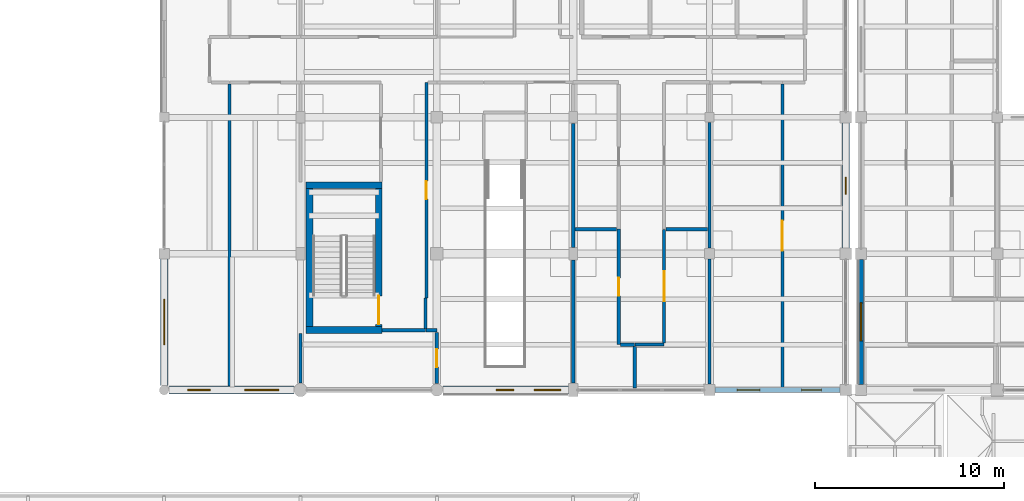
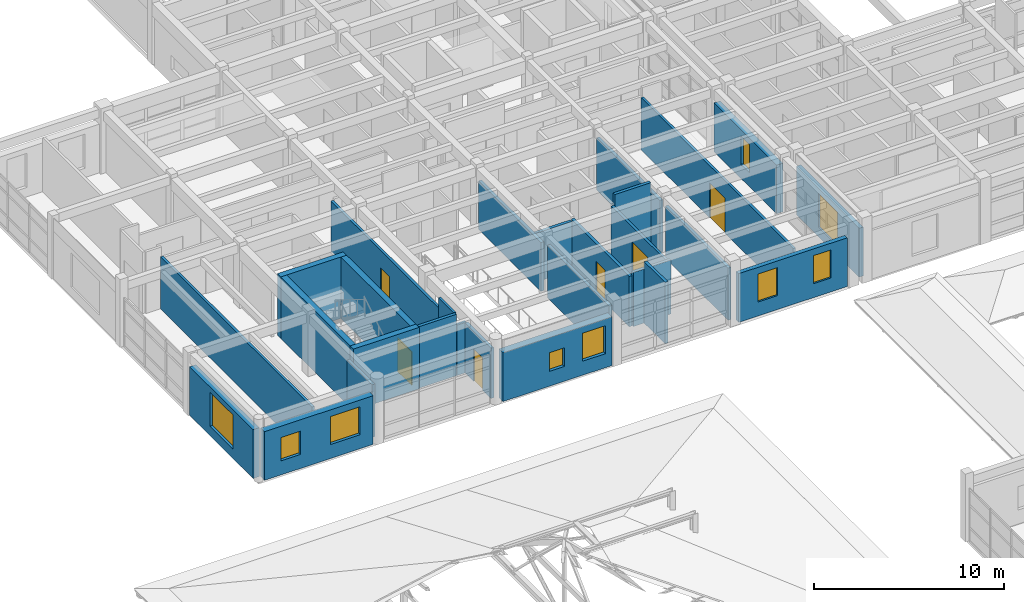
# One storey, part 75 of 110: 29 walls, 9 windows, 6 doors, 15 openings.
"""IFC4 building model written with IfcOpenShell, lengths in metres."""

from ifc_helpers import new_model, si_unit, direction, frame, frame_2d, origin, place, context, subcontext, project, spatial, rectangle, extrude, material, layer, layer_set, type_object, element, fill, save


model = new_model("IFC4")

# Units and contexts
model_context = context("Model", 3, precision=1e-05, world=origin(), true_north=direction((0.0, 1.0)))
body_context = subcontext(model_context, "Body", "Model", "MODEL_VIEW")
ifc_project = project(units=[si_unit("LENGTHUNIT", "METRE"), si_unit("AREAUNIT", "SQUARE_METRE"), si_unit("VOLUMEUNIT", "CUBIC_METRE"), si_unit("PLANEANGLEUNIT", "RADIAN"), si_unit("MASSUNIT", "GRAM", prefix="KILO")], contexts=[model_context])

# Site, building, storey
site_placement = place(None, origin())
site = spatial("IfcSite", under=ifc_project, at=site_placement, CompositionType="ELEMENT")
building_placement = place(site_placement, origin())
building = spatial("IfcBuilding", under=site, at=building_placement, Name="Steenspoor Specialist Clinic", CompositionType="ELEMENT")
storey_placement = place(building_placement, frame((0.0, 0.0, 4.800048828125)))
storey = spatial("IfcBuildingStorey", under=building, at=storey_placement, Name="L01", CompositionType="ELEMENT", Elevation=4.800048828125)

# Wall, opening, window
ifc_material_1 = material(Name="Extruded clay brick masonry", Category="masonry")
ifc_layer_1 = layer(ifc_material_1, 0.3798828125)
ifc_layer_set_1 = layer_set([ifc_layer_1], Name="Extruded clay brick masonry")
wall_type_1 = type_object("IfcWallType", Name="W-BRICK-380", PredefinedType="USERDEFINED", material=ifc_layer_set_1)
wall_1_placement = place(storey_placement, frame((15.60009765625, 65.39990234375, 0.0), z_axis=(0.0, 0.0, 1.0), x_axis=(0.0, 1.0, 0.0)))
wall_1 = element("IfcWall", 1, at=wall_1_placement, inside=storey, type_object=wall_type_1, Name="Exterior Brick Wall EW-V5-L01-0257", ObjectType="CAVITY VENEER", PredefinedType="USERDEFINED", context=body_context, shape_type="SweptSolid", body=[
    extrude(rectangle(XDim=6.675048828125, YDim=0.3798828125, at=frame_2d((3.33740234375, 0.0))), origin(), (0.0, 0.0, 1.0), 3.1298828125),
])
opening_1_placement = place(wall_1_placement, frame((2.137451171875, 0.0, 0.60009765625)))
opening_1 = element("IfcOpeningElement", 2, at=opening_1_placement, cuts=wall_1, Name="Opening WN-18", PredefinedType="OPENING", context=body_context, shape_type="SweptSolid", body=[
    extrude(rectangle(XDim=2.39990234375, YDim=2.199951171875, at=frame_2d((1.199951171875, 1.10009765625))), frame((0.0, 0.199951171875, 0.0), z_axis=(0.0, -1.0, 0.0), x_axis=(1.0, 0.0, 0.0)), (0.0, 0.0, 1.0), 0.39990234375),
])
ifc_material_2 = material(Name="Thermally broken aluminium and low-emissivity glass", Category="aluminium")
window_type_1 = type_object("IfcWindowType", Name="WN-EXT-240X220", PartitioningType="SINGLE_PANEL", PredefinedType="WINDOW", material=ifc_material_2)
window_1_placement = place(opening_1_placement, origin())
window_1 = element("IfcWindow", 3, at=window_1_placement, inside=storey, type_object=window_type_1, Name="Window 0281", OverallHeight=2.199951171875, OverallWidth=2.39990234375, PartitioningType="SINGLE_PANEL", PredefinedType="WINDOW", context=body_context, shape_type="SweptSolid", body=[
    extrude(rectangle(XDim=2.39990234375, YDim=2.199951171875, at=frame_2d((1.199951171875, 1.10009765625))), frame((0.0, 0.030029296875, 0.0), z_axis=(0.0, -1.0, 0.0), x_axis=(1.0, 0.0, 0.0)), (0.0, 0.0, 1.0), 0.06005859375),
])
fill(opening_1, window_1)

wall_2_placement = place(storey_placement, frame((51.60009765625, 79.25, 0.0), z_axis=(0.0, 0.0, 1.0), x_axis=(0.0, -1.0, 0.0)))
wall_2 = element("IfcWall", 4, at=wall_2_placement, inside=storey, type_object=wall_type_1, Name="Exterior Brick Wall EW-V5-L01-0265", ObjectType="CAVITY VENEER", PredefinedType="USERDEFINED", context=body_context, shape_type="SweptSolid", body=[
    extrude(rectangle(XDim=6.60009765625, YDim=0.3798828125, at=frame_2d((3.300048828125, 0.0))), origin(), (0.0, 0.0, 1.0), 3.1298828125),
])
opening_2_placement = place(wall_2_placement, frame((2.85009765625, 0.0, 0.89990234375)))
opening_2 = element("IfcOpeningElement", 5, at=opening_2_placement, cuts=wall_2, Name="Opening WN-03", PredefinedType="OPENING", context=body_context, shape_type="SweptSolid", body=[
    extrude(rectangle(XDim=0.89990234375, YDim=1.800048828125, at=frame_2d((0.449951171875, 0.89990234375))), frame((0.0, 0.199951171875, 0.0), z_axis=(0.0, -1.0, 0.0), x_axis=(1.0, 0.0, 0.0)), (0.0, 0.0, 1.0), 0.39990234375),
])
window_type_2 = type_object("IfcWindowType", Name="WN-EXT-090X180", PartitioningType="SINGLE_PANEL", PredefinedType="WINDOW", material=ifc_material_2)
window_2_placement = place(opening_2_placement, origin())
window_2 = element("IfcWindow", 6, at=window_2_placement, inside=storey, type_object=window_type_2, Name="Window 0290", OverallHeight=1.800048828125, OverallWidth=0.89990234375, PartitioningType="SINGLE_PANEL", PredefinedType="WINDOW", context=body_context, shape_type="SweptSolid", body=[
    extrude(rectangle(XDim=0.89990234375, YDim=1.800048828125, at=frame_2d((0.449951171875, 0.89990234375))), frame((0.0, 0.030029296875, 0.0), z_axis=(0.0, -1.0, 0.0), x_axis=(1.0, 0.0, 0.0)), (0.0, 0.0, 1.0), 0.06005859375),
])
fill(opening_2, window_2)

# Wall, openings, windows
ifc_layer_2 = layer(ifc_material_1, 0.409912109375)
ifc_layer_set_2 = layer_set([ifc_layer_2], Name="Extruded clay brick masonry")
wall_type_2 = type_object("IfcWallType", Name="W-BRICK-410", PredefinedType="USERDEFINED", material=ifc_layer_set_2)
wall_3_placement = place(storey_placement, frame((22.449951171875, 65.14990234375, 0.0), z_axis=(0.0, 0.0, 1.0), x_axis=(-1.0, 0.0, 0.0)))
wall_3 = element("IfcWall", 7, at=wall_3_placement, inside=storey, type_object=wall_type_2, Name="Exterior Brick Wall EW-V5-L01-0256", ObjectType="CAVITY VENEER", PredefinedType="USERDEFINED", context=body_context, shape_type="SweptSolid", body=[
    extrude(rectangle(XDim=6.599853515625, YDim=0.409912109375, at=frame_2d((3.2998046875, 0.0))), origin(), (0.0, 0.0, 1.0), 3.1298828125),
])
opening_3_placement = place(wall_3_placement, frame((0.7900390625, 0.0, 0.89990234375)))
opening_3 = element("IfcOpeningElement", 8, at=opening_3_placement, cuts=wall_3, Name="Opening WN-08", PredefinedType="OPENING", context=body_context, shape_type="SweptSolid", body=[
    extrude(rectangle(XDim=1.800048828125, YDim=1.800048828125, at=frame_2d((0.89990234375, 0.89990234375))), frame((0.0, 0.21484375, 0.0), z_axis=(0.0, -1.0, 0.0), x_axis=(1.0, 0.0, 0.0)), (0.0, 0.0, 1.0), 0.429931640625),
])
opening_4_placement = place(wall_3_placement, frame((4.409912109375, 0.0, 0.89990234375)))
opening_4 = element("IfcOpeningElement", 9, at=opening_4_placement, cuts=wall_3, Name="Opening WN-11", PredefinedType="OPENING", context=body_context, shape_type="SweptSolid", body=[
    extrude(rectangle(XDim=1.199951171875, YDim=1.5, at=frame_2d((0.60009765625, 0.75))), frame((0.0, 0.21484375, 0.0), z_axis=(0.0, -1.0, 0.0), x_axis=(1.0, 0.0, 0.0)), (0.0, 0.0, 1.0), 0.429931640625),
])
window_type_3 = type_object("IfcWindowType", Name="WN-EXT-120X150", PartitioningType="SINGLE_PANEL", PredefinedType="WINDOW", material=ifc_material_2)
window_3_placement = place(opening_4_placement, origin())
window_3 = element("IfcWindow", 10, at=window_3_placement, inside=storey, type_object=window_type_3, Name="Window 0280", OverallHeight=1.5, OverallWidth=1.199951171875, PartitioningType="SINGLE_PANEL", PredefinedType="WINDOW", context=body_context, shape_type="SweptSolid", body=[
    extrude(rectangle(XDim=1.199951171875, YDim=1.5, at=frame_2d((0.60009765625, 0.75))), frame((0.0, 0.030029296875, 0.0), z_axis=(0.0, -1.0, 0.0), x_axis=(1.0, 0.0, 0.0)), (0.0, 0.0, 1.0), 0.06005859375),
])
fill(opening_4, window_3)
window_type_4 = type_object("IfcWindowType", Name="WN-EXT-180X180", PartitioningType="SINGLE_PANEL", PredefinedType="WINDOW", material=ifc_material_2)
window_4_placement = place(opening_3_placement, origin())
window_4 = element("IfcWindow", 11, at=window_4_placement, inside=storey, type_object=window_type_4, Name="Window 0279", OverallHeight=1.800048828125, OverallWidth=1.800048828125, PartitioningType="SINGLE_PANEL", PredefinedType="WINDOW", context=body_context, shape_type="SweptSolid", body=[
    extrude(rectangle(XDim=1.800048828125, YDim=1.800048828125, at=frame_2d((0.89990234375, 0.89990234375))), frame((0.0, 0.030029296875, 0.0), z_axis=(0.0, -1.0, 0.0), x_axis=(1.0, 0.0, 0.0)), (0.0, 0.0, 1.0), 0.06005859375),
])
fill(opening_3, window_4)

ifc_layer_3 = layer(ifc_material_1, 0.43994140625)
ifc_layer_set_3 = layer_set([ifc_layer_3], Name="Extruded clay brick masonry")
wall_type_3 = type_object("IfcWallType", Name="W-BRICK-440", PredefinedType="USERDEFINED", material=ifc_layer_set_3)
wall_4_placement = place(storey_placement, frame((36.949951171875, 65.14990234375, 0.0), z_axis=(0.0, 0.0, 1.0), x_axis=(-1.0, 0.0, 0.0)))
wall_4 = element("IfcWall", 12, at=wall_4_placement, inside=storey, type_object=wall_type_3, Name="Exterior Brick Wall EW-V5-L01-0255", ObjectType="CAVITY VENEER", PredefinedType="USERDEFINED", context=body_context, shape_type="SweptSolid", body=[
    extrude(rectangle(XDim=6.625, YDim=0.43994140625, at=frame_2d((3.3125, 0.0))), origin(), (0.0, 0.0, 1.0), 3.1298828125),
])
opening_5_placement = place(wall_4_placement, frame((0.402587890625, 0.0, 0.89990234375)))
opening_5 = element("IfcOpeningElement", 13, at=opening_5_placement, cuts=wall_4, Name="Opening WN-06", PredefinedType="OPENING", context=body_context, shape_type="SweptSolid", body=[
    extrude(rectangle(XDim=1.39990234375, YDim=1.800048828125, at=frame_2d((0.699951171875, 0.89990234375))), frame((0.0, 0.22998046875, 0.0), z_axis=(0.0, -1.0, 0.0), x_axis=(1.0, 0.0, 0.0)), (0.0, 0.0, 1.0), 0.4599609375),
])
opening_6_placement = place(wall_4_placement, frame((2.89990234375, 0.0, 0.949951171875)))
opening_6 = element("IfcOpeningElement", 14, at=opening_6_placement, cuts=wall_4, Name="Opening WN-21", PredefinedType="OPENING", context=body_context, shape_type="SweptSolid", body=[
    extrude(rectangle(XDim=0.89990234375, YDim=1.199951171875, at=frame_2d((0.449951171875, 0.60009765625))), frame((0.0, 0.22998046875, 0.0), z_axis=(0.0, -1.0, 0.0), x_axis=(1.0, 0.0, 0.0)), (0.0, 0.0, 1.0), 0.4599609375),
])
window_type_5 = type_object("IfcWindowType", Name="WN-EXT-090X120", PartitioningType="SINGLE_PANEL", PredefinedType="WINDOW", material=ifc_material_2)
window_5_placement = place(opening_6_placement, origin())
window_5 = element("IfcWindow", 15, at=window_5_placement, inside=storey, type_object=window_type_5, Name="Window 0278", OverallHeight=1.199951171875, OverallWidth=0.89990234375, PartitioningType="SINGLE_PANEL", PredefinedType="WINDOW", context=body_context, shape_type="SweptSolid", body=[
    extrude(rectangle(XDim=0.89990234375, YDim=1.199951171875, at=frame_2d((0.449951171875, 0.60009765625))), frame((0.0, 0.030029296875, 0.0), z_axis=(0.0, -1.0, 0.0), x_axis=(1.0, 0.0, 0.0)), (0.0, 0.0, 1.0), 0.06005859375),
])
fill(opening_6, window_5)
window_type_6 = type_object("IfcWindowType", Name="WN-EXT-140X180", PartitioningType="SINGLE_PANEL", PredefinedType="WINDOW", material=ifc_material_2)
window_6_placement = place(opening_5_placement, origin())
window_6 = element("IfcWindow", 16, at=window_6_placement, inside=storey, type_object=window_type_6, Name="Window 0277", OverallHeight=1.800048828125, OverallWidth=1.39990234375, PartitioningType="SINGLE_PANEL", PredefinedType="WINDOW", context=body_context, shape_type="SweptSolid", body=[
    extrude(rectangle(XDim=1.39990234375, YDim=1.800048828125, at=frame_2d((0.699951171875, 0.89990234375))), frame((0.0, 0.030029296875, 0.0), z_axis=(0.0, -1.0, 0.0), x_axis=(1.0, 0.0, 0.0)), (0.0, 0.0, 1.0), 0.06005859375),
])
fill(opening_5, window_6)

# Wall
ifc_material_3 = material(Name="Gypsum acoustic clinical partition", Category="gypsum")
ifc_layer_4 = layer(ifc_material_3, 0.14990234375)
ifc_layer_set_4 = layer_set([ifc_layer_4], Name="Gypsum acoustic clinical partition")
wall_type_4 = type_object("IfcWallType", Name="W-CLIN-150", PredefinedType="PARTITIONING", material=ifc_layer_set_4)
wall_5_placement = place(storey_placement, frame((40.465087890625, 67.550048828125, 0.0), z_axis=(0.0, 0.0, 1.0), x_axis=(1.0, 0.0, 0.0)))
element("IfcWall", 17, at=wall_5_placement, inside=storey, type_object=wall_type_4, Name="Interior Partition IW-V5-L01-0810", PredefinedType="PARTITIONING", context=body_context, shape_type="SweptSolid", body=[
    extrude(rectangle(XDim=1.534912109375, YDim=0.14990234375, at=frame_2d((0.767578125, 0.0))), origin(), (0.0, 0.0, 1.0), 3.474853515625),
])

# Wall, opening, door
wall_6_placement = place(storey_placement, frame((42.0, 67.639892578125, 0.0), z_axis=(0.0, 0.0, 1.0), x_axis=(0.0, 1.0, 0.0)))
wall_6 = element("IfcWall", 18, at=wall_6_placement, inside=storey, type_object=wall_type_4, Name="Interior Partition IW-V5-L01-0811", PredefinedType="PARTITIONING", context=body_context, shape_type="SweptSolid", body=[
    extrude(rectangle(XDim=5.989990234375, YDim=0.14990234375, at=frame_2d((2.9951171875, 0.0))), origin(), (0.0, 0.0, 1.0), 3.23486328125),
])
opening_7_placement = place(wall_6_placement, frame((2.195068359375, 0.0, 0.0)))
opening_7 = element("IfcOpeningElement", 19, at=opening_7_placement, cuts=wall_6, Name="Opening D0351", PredefinedType="OPENING", context=body_context, shape_type="SweptSolid", body=[
    extrude(rectangle(XDim=1.60009765625, YDim=2.25, at=frame_2d((0.800048828125, 1.125))), frame((0.0, 0.0849609375, 0.0), z_axis=(0.0, -1.0, 0.0), x_axis=(1.0, 0.0, 0.0)), (0.0, 0.0, 1.0), 0.169921875),
])
ifc_material_4 = material(Name="Hygienic HPL clinical timber door", Category="wood")
door_type_1 = type_object("IfcDoorType", Name="DT-PROC-160X225", OperationType="NOTDEFINED", PredefinedType="DOOR", material=ifc_material_4)
door_1_placement = place(opening_7_placement, origin())
door_1 = element("IfcDoor", 20, at=door_1_placement, inside=storey, type_object=door_type_1, Name="Clinical Door D0351", OperationType="SINGLE_SWING_RIGHT", OverallHeight=2.25, OverallWidth=1.60009765625, PredefinedType="DOOR", context=body_context, shape_type="SweptSolid", body=[
    extrude(rectangle(XDim=1.60009765625, YDim=2.25, at=frame_2d((0.800048828125, 1.125))), frame((0.0, 0.02490234375, 0.0), z_axis=(0.0, -1.0, 0.0), x_axis=(1.0, 0.0, 0.0)), (0.0, 0.0, 1.0), 0.050048828125),
])
fill(opening_7, door_1)

# Wall
wall_7_placement = place(storey_placement, frame((29.39990234375, 68.405029296875, 0.0), z_axis=(0.0, 0.0, 1.0), x_axis=(0.0, 1.0, 0.0)))
element("IfcWall", 21, at=wall_7_placement, inside=storey, type_object=wall_type_4, Name="Interior Partition IW-V5-L01-0924", PredefinedType="PARTITIONING", context=body_context, shape_type="SweptSolid", body=[
    extrude(rectangle(XDim=1.594970703125, YDim=0.14990234375, at=frame_2d((0.79736328125, 0.0))), origin(), (0.0, 0.0, 1.0), 3.949951171875),
])

# Wall, opening, door
wall_8_placement = place(storey_placement, frame((29.449951171875, 70.014892578125, 0.0), z_axis=(0.0, 0.0, 1.0), x_axis=(0.0, 1.0, 0.0)))
wall_8 = element("IfcWall", 22, at=wall_8_placement, inside=storey, type_object=wall_type_4, Name="Interior Partition IW-V5-L01-0925", PredefinedType="PARTITIONING", context=body_context, shape_type="SweptSolid", body=[
    extrude(rectangle(XDim=11.385009765625, YDim=0.14990234375, at=frame_2d((5.6923828125, 0.0))), origin(), (0.0, 0.0, 1.0), 3.23486328125),
])
opening_8_placement = place(wall_8_placement, frame((5.217529296875, 0.0, 0.0)))
opening_8 = element("IfcOpeningElement", 23, at=opening_8_placement, cuts=wall_8, Name="Opening D0348", PredefinedType="OPENING", context=body_context, shape_type="SweptSolid", body=[
    extrude(rectangle(XDim=0.949951171875, YDim=2.10009765625, at=frame_2d((0.47509765625, 1.050048828125))), frame((0.0, 0.0849609375, 0.0), z_axis=(0.0, -1.0, 0.0), x_axis=(1.0, 0.0, 0.0)), (0.0, 0.0, 1.0), 0.169921875),
])
ifc_material_5 = material(Name="Moisture-resistant HPL sanitary door", Category="wood")
door_type_2 = type_object("IfcDoorType", Name="DT-WC-095X210", OperationType="NOTDEFINED", PredefinedType="DOOR", material=ifc_material_5)
door_2_placement = place(opening_8_placement, origin())
door_2 = element("IfcDoor", 24, at=door_2_placement, inside=storey, type_object=door_type_2, Name="Clinical Door D0348", OperationType="SINGLE_SWING_LEFT", OverallHeight=2.10009765625, OverallWidth=0.949951171875, PredefinedType="DOOR", context=body_context, shape_type="SweptSolid", body=[
    extrude(rectangle(XDim=0.949951171875, YDim=2.10009765625, at=frame_2d((0.47509765625, 1.050048828125))), frame((0.0, 0.02490234375, 0.0), z_axis=(0.0, -1.0, 0.0), x_axis=(1.0, 0.0, 0.0)), (0.0, 0.0, 1.0), 0.050048828125),
])
fill(opening_8, door_2)

# Wall
wall_9_placement = place(storey_placement, frame((19.050048828125, 65.3701171875, 0.0), z_axis=(0.0, 0.0, 1.0), x_axis=(0.0, 1.0, 0.0)))
element("IfcWall", 25, at=wall_9_placement, inside=storey, type_object=wall_type_4, Name="Interior Partition IW-V5-L01-1140", PredefinedType="PARTITIONING", context=body_context, shape_type="SweptSolid", body=[
    extrude(rectangle(XDim=15.93994140625, YDim=0.14990234375, at=frame_2d((7.969970703125, 0.0))), origin(), (0.0, 0.0, 1.0), 3.35498046875),
])

# Wall, opening, door
wall_10_placement = place(storey_placement, frame((48.25, 65.294921875, 0.0), z_axis=(0.0, 0.0, 1.0), x_axis=(0.0, 1.0, 0.0)))
wall_10 = element("IfcWall", 26, at=wall_10_placement, inside=storey, type_object=wall_type_4, Name="Interior Partition IW-V5-L01-1144", PredefinedType="PARTITIONING", context=body_context, shape_type="SweptSolid", body=[
    extrude(rectangle(XDim=16.01513671875, YDim=0.14990234375, at=frame_2d((8.007568359375, 0.0))), origin(), (0.0, 0.0, 1.0), 3.35498046875),
])
opening_9_placement = place(wall_10_placement, frame((7.20751953125, 0.0, 0.0)))
opening_9 = element("IfcOpeningElement", 27, at=opening_9_placement, cuts=wall_10, Name="Opening D0353", PredefinedType="OPENING", context=body_context, shape_type="SweptSolid", body=[
    extrude(rectangle(XDim=1.60009765625, YDim=2.25, at=frame_2d((0.800048828125, 1.125))), frame((0.0, 0.0849609375, 0.0), z_axis=(0.0, -1.0, 0.0), x_axis=(1.0, 0.0, 0.0)), (0.0, 0.0, 1.0), 0.169921875),
])
door_3_placement = place(opening_9_placement, origin())
door_3 = element("IfcDoor", 28, at=door_3_placement, inside=storey, type_object=door_type_1, Name="Clinical Door D0353", OperationType="SINGLE_SWING_RIGHT", OverallHeight=2.25, OverallWidth=1.60009765625, PredefinedType="DOOR", context=body_context, shape_type="SweptSolid", body=[
    extrude(rectangle(XDim=1.60009765625, YDim=2.25, at=frame_2d((0.800048828125, 1.125))), frame((0.0, 0.02490234375, 0.0), z_axis=(0.0, -1.0, 0.0), x_axis=(1.0, 0.0, 0.0)), (0.0, 0.0, 1.0), 0.050048828125),
])
fill(opening_9, door_3)

# Walls
ifc_material_6 = material(Name="Moisture-resistant gypsum plumbing wall", Category="gypsum")
ifc_layer_5 = layer(ifc_material_6, 0.179931640625)
ifc_layer_set_5 = layer_set([ifc_layer_5], Name="Moisture-resistant gypsum plumbing wall")
wall_type_5 = type_object("IfcWallType", Name="W-PLUMB-180", PredefinedType="PLUMBINGWALL", material=ifc_layer_set_5)
wall_11_placement = place(storey_placement, frame((27.114990234375, 68.300048828125, 0.0), z_axis=(0.0, 0.0, 1.0), x_axis=(1.0, 0.0, 0.0)))
element("IfcWall", 29, at=wall_11_placement, inside=storey, type_object=wall_type_5, Name="Interior Partition IW-V5-L01-0774", PredefinedType="PLUMBINGWALL", context=body_context, shape_type="SweptSolid", body=[
    extrude(rectangle(XDim=2.284912109375, YDim=0.179931640625, at=frame_2d((1.142578125, 0.0))), origin(), (0.0, 0.0, 1.0), 3.949951171875),
])
wall_12_placement = place(storey_placement, frame((29.4150390625, 68.300048828125, 0.0), z_axis=(0.0, 0.0, 1.0), x_axis=(1.0, 0.0, 0.0)))
element("IfcWall", 30, at=wall_12_placement, inside=storey, type_object=wall_type_5, Name="Interior Partition IW-V5-L01-0775", PredefinedType="PLUMBINGWALL", context=body_context, shape_type="SweptSolid", body=[
    extrude(rectangle(XDim=0.5849609375, YDim=0.179931640625, at=frame_2d((0.29248046875, 0.0))), origin(), (0.0, 0.0, 1.0), 3.23486328125),
])

# Wall, opening, door
wall_13_placement = place(storey_placement, frame((39.60009765625, 67.550048828125, 0.0), z_axis=(0.0, 0.0, 1.0), x_axis=(0.0, 1.0, 0.0)))
wall_13 = element("IfcWall", 31, at=wall_13_placement, inside=storey, type_object=wall_type_5, Name="Interior Partition IW-V5-L01-0776", PredefinedType="PLUMBINGWALL", context=body_context, shape_type="SweptSolid", body=[
    extrude(rectangle(XDim=6.094970703125, YDim=0.179931640625, at=frame_2d((3.04736328125, 0.0))), origin(), (0.0, 0.0, 1.0), 3.23486328125),
])
opening_10_placement = place(wall_13_placement, frame((2.572509765625, 0.0, 0.0)))
opening_10 = element("IfcOpeningElement", 32, at=opening_10_placement, cuts=wall_13, Name="Opening D0350", PredefinedType="OPENING", context=body_context, shape_type="SweptSolid", body=[
    extrude(rectangle(XDim=0.949951171875, YDim=2.10009765625, at=frame_2d((0.47509765625, 1.050048828125))), frame((0.0, 0.10009765625, 0.0), z_axis=(0.0, -1.0, 0.0), x_axis=(1.0, 0.0, 0.0)), (0.0, 0.0, 1.0), 0.199951171875),
])
door_4_placement = place(opening_10_placement, origin())
door_4 = element("IfcDoor", 33, at=door_4_placement, inside=storey, type_object=door_type_2, Name="Clinical Door D0350", OperationType="SINGLE_SWING_LEFT", OverallHeight=2.10009765625, OverallWidth=0.949951171875, PredefinedType="DOOR", context=body_context, shape_type="SweptSolid", body=[
    extrude(rectangle(XDim=0.949951171875, YDim=2.10009765625, at=frame_2d((0.47509765625, 1.050048828125))), frame((0.0, 0.02490234375, 0.0), z_axis=(0.0, -1.0, 0.0), x_axis=(1.0, 0.0, 0.0)), (0.0, 0.0, 1.0), 0.050048828125),
])
fill(opening_10, door_4)

# Walls
wall_14_placement = place(storey_placement, frame((39.705078125, 67.550048828125, 0.0), z_axis=(0.0, 0.0, 1.0), x_axis=(1.0, 0.0, 0.0)))
element("IfcWall", 34, at=wall_14_placement, inside=storey, type_object=wall_type_5, Name="Interior Partition IW-V5-L01-0777", PredefinedType="PLUMBINGWALL", context=body_context, shape_type="SweptSolid", body=[
    extrude(rectangle(XDim=0.744873046875, YDim=0.179931640625, at=frame_2d((0.37255859375, 0.0))), origin(), (0.0, 0.0, 1.0), 3.474853515625),
])
wall_15_placement = place(storey_placement, frame((22.800048828125, 65.514892578125, 0.0), z_axis=(0.0, 0.0, 1.0), x_axis=(0.0, 1.0, 0.0)))
element("IfcWall", 35, at=wall_15_placement, inside=storey, type_object=wall_type_5, Name="Interior Partition IW-V5-L01-1103", PredefinedType="PLUMBINGWALL", context=body_context, shape_type="SweptSolid", body=[
    extrude(rectangle(XDim=2.635009765625, YDim=0.179931640625, at=frame_2d((1.3173828125, 0.0))), origin(), (0.0, 0.0, 1.0), 3.385009765625),
])

# Wall, opening, door
wall_16_placement = place(storey_placement, frame((30.0, 65.489990234375, 0.0), z_axis=(0.0, 0.0, 1.0), x_axis=(0.0, 1.0, 0.0)))
wall_16 = element("IfcWall", 36, at=wall_16_placement, inside=storey, type_object=wall_type_5, Name="Interior Partition IW-V5-L01-1104", PredefinedType="PLUMBINGWALL", context=body_context, shape_type="SweptSolid", body=[
    extrude(rectangle(XDim=2.705078125, YDim=0.179931640625, at=frame_2d((1.3525390625, 0.0))), origin(), (0.0, 0.0, 1.0), 3.23486328125),
])
opening_11_placement = place(wall_16_placement, frame((0.87744140625, 0.0, 0.0)))
opening_11 = element("IfcOpeningElement", 37, at=opening_11_placement, cuts=wall_16, Name="Opening D0347", PredefinedType="OPENING", context=body_context, shape_type="SweptSolid", body=[
    extrude(rectangle(XDim=0.949951171875, YDim=2.10009765625, at=frame_2d((0.47509765625, 1.050048828125))), frame((0.0, 0.10009765625, 0.0), z_axis=(0.0, -1.0, 0.0), x_axis=(1.0, 0.0, 0.0)), (0.0, 0.0, 1.0), 0.199951171875),
])
door_5_placement = place(opening_11_placement, origin())
door_5 = element("IfcDoor", 38, at=door_5_placement, inside=storey, type_object=door_type_2, Name="Clinical Door D0347", OperationType="SINGLE_SWING_RIGHT", OverallHeight=2.10009765625, OverallWidth=0.949951171875, PredefinedType="DOOR", context=body_context, shape_type="SweptSolid", body=[
    extrude(rectangle(XDim=0.949951171875, YDim=2.10009765625, at=frame_2d((0.47509765625, 1.050048828125))), frame((0.0, 0.02490234375, 0.0), z_axis=(0.0, -1.0, 0.0), x_axis=(1.0, 0.0, 0.0)), (0.0, 0.0, 1.0), 0.050048828125),
])
fill(opening_11, door_5)

# Walls
wall_17_placement = place(storey_placement, frame((37.199951171875, 65.514892578125, 0.0), z_axis=(0.0, 0.0, 1.0), x_axis=(0.0, 1.0, 0.0)))
element("IfcWall", 39, at=wall_17_placement, inside=storey, type_object=wall_type_5, Name="Interior Partition IW-V5-L01-1105", PredefinedType="PLUMBINGWALL", context=body_context, shape_type="SweptSolid", body=[
    extrude(rectangle(XDim=6.4951171875, YDim=0.179931640625, at=frame_2d((3.24755859375, 0.0))), origin(), (0.0, 0.0, 1.0), 3.385009765625),
])
wall_18_placement = place(storey_placement, frame((37.199951171875, 72.68994140625, 0.0), z_axis=(0.0, 0.0, 1.0), x_axis=(0.0, 1.0, 0.0)))
element("IfcWall", 40, at=wall_18_placement, inside=storey, type_object=wall_type_5, Name="Interior Partition IW-V5-L01-1106", PredefinedType="PLUMBINGWALL", context=body_context, shape_type="SweptSolid", body=[
    extrude(rectangle(XDim=6.545166015625, YDim=0.179931640625, at=frame_2d((3.2724609375, 0.0))), origin(), (0.0, 0.0, 1.0), 3.135009765625),
])
wall_19_placement = place(storey_placement, frame((40.449951171875, 65.2548828125, 0.0), z_axis=(0.0, 0.0, 1.0), x_axis=(0.0, 1.0, 0.0)))
element("IfcWall", 41, at=wall_19_placement, inside=storey, type_object=wall_type_5, Name="Interior Partition IW-V5-L01-1108", PredefinedType="PLUMBINGWALL", context=body_context, shape_type="SweptSolid", body=[
    extrude(rectangle(XDim=2.190185546875, YDim=0.179931640625, at=frame_2d((1.09521484375, 0.0))), origin(), (0.0, 0.0, 1.0), 3.949951171875),
])
wall_20_placement = place(storey_placement, frame((37.304931640625, 73.64501953125, 0.0), z_axis=(0.0, 0.0, 1.0), x_axis=(1.0, 0.0, 0.0)))
element("IfcWall", 42, at=wall_20_placement, inside=storey, type_object=wall_type_5, Name="Interior Partition IW-V5-L01-1109", PredefinedType="PLUMBINGWALL", context=body_context, shape_type="SweptSolid", body=[
    extrude(rectangle(XDim=2.190185546875, YDim=0.179931640625, at=frame_2d((1.09521484375, 0.0))), origin(), (0.0, 0.0, 1.0), 3.135009765625),
])
wall_21_placement = place(storey_placement, frame((44.39990234375, 65.465087890625, 0.0), z_axis=(0.0, 0.0, 1.0), x_axis=(0.0, 1.0, 0.0)))
element("IfcWall", 43, at=wall_21_placement, inside=storey, type_object=wall_type_5, Name="Interior Partition IW-V5-L01-1110", PredefinedType="PLUMBINGWALL", context=body_context, shape_type="SweptSolid", body=[
    extrude(rectangle(XDim=6.594970703125, YDim=0.179931640625, at=frame_2d((3.29736328125, 0.0))), origin(), (0.0, 0.0, 1.0), 3.35498046875),
])
wall_22_placement = place(storey_placement, frame((44.39990234375, 72.639892578125, 0.0), z_axis=(0.0, 0.0, 1.0), x_axis=(0.0, 1.0, 0.0)))
element("IfcWall", 44, at=wall_22_placement, inside=storey, type_object=wall_type_5, Name="Interior Partition IW-V5-L01-1111", PredefinedType="PLUMBINGWALL", context=body_context, shape_type="SweptSolid", body=[
    extrude(rectangle(XDim=6.64501953125, YDim=0.179931640625, at=frame_2d((3.322509765625, 0.0))), origin(), (0.0, 0.0, 1.0), 3.35498046875),
])
wall_23_placement = place(storey_placement, frame((42.10498046875, 73.64501953125, 0.0), z_axis=(0.0, 0.0, 1.0), x_axis=(1.0, 0.0, 0.0)))
element("IfcWall", 45, at=wall_23_placement, inside=storey, type_object=wall_type_5, Name="Interior Partition IW-V5-L01-1113", PredefinedType="PLUMBINGWALL", context=body_context, shape_type="SweptSolid", body=[
    extrude(rectangle(XDim=2.18994140625, YDim=0.179931640625, at=frame_2d((1.094970703125, 0.0))), origin(), (0.0, 0.0, 1.0), 3.949951171875),
])

# Wall, opening, window
ifc_layer_6 = layer(ifc_material_1, 0.260009765625)
ifc_layer_set_6 = layer_set([ifc_layer_6], Name="Extruded clay brick masonry")
wall_type_6 = type_object("IfcWallType", Name="W-SCREEN-260", PredefinedType="SOLIDWALL", material=ifc_layer_set_6)
wall_24_placement = place(storey_placement, frame((52.39990234375, 65.449951171875, 0.0), z_axis=(0.0, 0.0, 1.0), x_axis=(0.0, 1.0, 0.0)))
wall_24 = element("IfcWall", 46, at=wall_24_placement, inside=storey, type_object=wall_type_6, Name="Exterior Brick Wall EW-V4-L01-0114", PredefinedType="SOLIDWALL", context=body_context, shape_type="SweptSolid", body=[
    extrude(rectangle(XDim=6.60009765625, YDim=0.260009765625, at=frame_2d((3.300048828125, 0.0))), origin(), (0.0, 0.0, 1.0), 3.1298828125),
])
opening_12_placement = place(wall_24_placement, frame((2.300048828125, 0.0, 0.60009765625)))
opening_12 = element("IfcOpeningElement", 47, at=opening_12_placement, cuts=wall_24, Name="Opening WN-17", PredefinedType="OPENING", context=body_context, shape_type="SweptSolid", body=[
    extrude(rectangle(XDim=2.0, YDim=2.199951171875, at=frame_2d((1.0, 1.10009765625))), frame((0.0, 0.14013671875, 0.0), z_axis=(0.0, -1.0, 0.0), x_axis=(1.0, 0.0, 0.0)), (0.0, 0.0, 1.0), 0.280029296875),
])
window_type_7 = type_object("IfcWindowType", Name="WN-EXT-200X220", PartitioningType="SINGLE_PANEL", PredefinedType="WINDOW", material=ifc_material_2)
window_7_placement = place(opening_12_placement, origin())
window_7 = element("IfcWindow", 48, at=window_7_placement, inside=storey, type_object=window_type_7, Name="Window 0136", OverallHeight=2.199951171875, OverallWidth=2.0, PartitioningType="SINGLE_PANEL", PredefinedType="WINDOW", context=body_context, shape_type="SweptSolid", body=[
    extrude(rectangle(XDim=2.0, YDim=2.199951171875, at=frame_2d((1.0, 1.10009765625))), frame((0.0, 0.030029296875, 0.0), z_axis=(0.0, -1.0, 0.0), x_axis=(1.0, 0.0, 0.0)), (0.0, 0.0, 1.0), 0.06005859375),
])
fill(opening_12, window_7)

# Wall, openings, windows
wall_25_placement = place(storey_placement, frame((51.300048828125, 65.14990234375, 0.0), z_axis=(0.0, 0.0, 1.0), x_axis=(-1.0, 0.0, 0.0)))
wall_25 = element("IfcWall", 49, at=wall_25_placement, inside=storey, type_object=wall_type_6, Name="Exterior Brick Wall EW-V5-L01-0254", PredefinedType="SOLIDWALL", context=body_context, shape_type="SweptSolid", body=[
    extrude(rectangle(XDim=6.60009765625, YDim=0.260009765625, at=frame_2d((3.300048828125, 0.0))), origin(), (0.0, 0.0, 1.0), 3.1298828125),
])
opening_13_placement = place(wall_25_placement, frame((0.989990234375, 0.0, 0.89990234375)))
opening_13 = element("IfcOpeningElement", 50, at=opening_13_placement, cuts=wall_25, Name="Opening WN-04", PredefinedType="OPENING", context=body_context, shape_type="SweptSolid", body=[
    extrude(rectangle(XDim=1.050048828125, YDim=1.800048828125, at=frame_2d((0.52490234375, 0.89990234375))), frame((0.0, 0.14013671875, 0.0), z_axis=(0.0, -1.0, 0.0), x_axis=(1.0, 0.0, 0.0)), (0.0, 0.0, 1.0), 0.280029296875),
])
opening_14_placement = place(wall_25_placement, frame((4.235107421875, 0.0, 0.89990234375)))
opening_14 = element("IfcOpeningElement", 51, at=opening_14_placement, cuts=wall_25, Name="Opening WN-05", PredefinedType="OPENING", context=body_context, shape_type="SweptSolid", body=[
    extrude(rectangle(XDim=1.199951171875, YDim=1.800048828125, at=frame_2d((0.60009765625, 0.89990234375))), frame((0.0, 0.14013671875, 0.0), z_axis=(0.0, -1.0, 0.0), x_axis=(1.0, 0.0, 0.0)), (0.0, 0.0, 1.0), 0.280029296875),
])
window_type_8 = type_object("IfcWindowType", Name="WN-EXT-105X180", PartitioningType="SINGLE_PANEL", PredefinedType="WINDOW", material=ifc_material_2)
window_8_placement = place(opening_13_placement, origin())
window_8 = element("IfcWindow", 52, at=window_8_placement, inside=storey, type_object=window_type_8, Name="Window 0275", OverallHeight=1.800048828125, OverallWidth=1.050048828125, PartitioningType="SINGLE_PANEL", PredefinedType="WINDOW", context=body_context, shape_type="SweptSolid", body=[
    extrude(rectangle(XDim=1.050048828125, YDim=1.800048828125, at=frame_2d((0.52490234375, 0.89990234375))), frame((0.0, 0.030029296875, 0.0), z_axis=(0.0, -1.0, 0.0), x_axis=(1.0, 0.0, 0.0)), (0.0, 0.0, 1.0), 0.06005859375),
])
fill(opening_13, window_8)
window_type_9 = type_object("IfcWindowType", Name="WN-EXT-120X180", PartitioningType="SINGLE_PANEL", PredefinedType="WINDOW", material=ifc_material_2)
window_9_placement = place(opening_14_placement, origin())
window_9 = element("IfcWindow", 53, at=window_9_placement, inside=storey, type_object=window_type_9, Name="Window 0276", OverallHeight=1.800048828125, OverallWidth=1.199951171875, PartitioningType="SINGLE_PANEL", PredefinedType="WINDOW", context=body_context, shape_type="SweptSolid", body=[
    extrude(rectangle(XDim=1.199951171875, YDim=1.800048828125, at=frame_2d((0.60009765625, 0.89990234375))), frame((0.0, 0.030029296875, 0.0), z_axis=(0.0, -1.0, 0.0), x_axis=(1.0, 0.0, 0.0)), (0.0, 0.0, 1.0), 0.06005859375),
])
fill(opening_14, window_9)

# Walls
ifc_material_7 = material(Name="Concrete C40/50", Category="concrete")
ifc_layer_7 = layer(ifc_material_7, 0.35009765625)
ifc_layer_set_7 = layer_set([ifc_layer_7], Name="Concrete C40/50")
wall_type_7 = type_object("IfcWallType", Name="W-SW-350", PredefinedType="SHEAR", material=ifc_layer_set_7)
for number, where, z_axis, x_axis, name in (
    (54, (23.10009765625, 68.324951171875, 0.0), (0.0, 0.0, 1.0), (1.0, 0.0, 0.0), "Core Shear Wall SW-ST-V5B-L01-S"),
    (55, (23.10009765625, 75.97509765625, 0.0), (0.0, 0.0, 1.0), (1.0, 0.0, 0.0), "Core Shear Wall SW-ST-V5B-L01-N"),
):
    element("IfcWall", number, at=place(storey_placement, frame(where, z_axis=z_axis, x_axis=x_axis)), inside=storey, type_object=wall_type_7, Name=name, PredefinedType="SHEAR", context=body_context, shape_type="SweptSolid", body=[
        extrude(rectangle(XDim=4.0, YDim=0.35009765625, at=frame_2d((2.0, 0.0))), origin(), (0.0, 0.0, 1.0), 3.949951171875),
    ])
wall_26_placement = place(storey_placement, frame((23.27490234375, 68.5, 0.0), z_axis=(0.0, 0.0, 1.0), x_axis=(0.0, 1.0, 0.0)))
element("IfcWall", 56, at=wall_26_placement, inside=storey, type_object=wall_type_7, Name="Core Shear Wall SW-ST-V5B-L01-W", PredefinedType="SHEAR", context=body_context, shape_type="SweptSolid", body=[
    extrude(rectangle(XDim=7.300048828125, YDim=0.35009765625, at=frame_2d((3.64990234375, 0.0))), origin(), (0.0, 0.0, 1.0), 3.949951171875),
])

# Wall, opening, door
wall_27_placement = place(storey_placement, frame((26.925048828125, 68.5, 0.0), z_axis=(0.0, 0.0, 1.0), x_axis=(0.0, 1.0, 0.0)))
wall_27 = element("IfcWall", 57, at=wall_27_placement, inside=storey, type_object=wall_type_7, Name="Core Shear Wall SW-ST-V5B-L01-E", PredefinedType="SHEAR", context=body_context, shape_type="SweptSolid", body=[
    extrude(rectangle(XDim=7.300048828125, YDim=0.35009765625, at=frame_2d((3.64990234375, 0.0))), origin(), (0.0, 0.0, 1.0), 3.949951171875),
])
opening_15_placement = place(wall_27_placement, frame((0.1201171875, 0.0, 0.0)))
opening_15 = element("IfcOpeningElement", 58, at=opening_15_placement, cuts=wall_27, Name="Opening SD032", PredefinedType="OPENING", context=body_context, shape_type="SweptSolid", body=[
    extrude(rectangle(XDim=1.5, YDim=2.14990234375, at=frame_2d((0.75, 1.074951171875))), frame((0.0, 0.18505859375, 0.0), z_axis=(0.0, -1.0, 0.0), x_axis=(1.0, 0.0, 0.0)), (0.0, 0.0, 1.0), 0.3701171875),
])
ifc_material_8 = material(Name="Fire-rated steel acoustic door", Category="steel")
door_type_3 = type_object("IfcDoorType", Name="DT-STAIR-150X215", OperationType="NOTDEFINED", PredefinedType="DOOR", material=ifc_material_8)
door_6_placement = place(opening_15_placement, origin())
door_6 = element("IfcDoor", 59, at=door_6_placement, inside=storey, type_object=door_type_3, Name="Exit Stair Fire Door SD032", OperationType="SINGLE_SWING_LEFT", OverallHeight=2.14990234375, OverallWidth=1.5, PredefinedType="DOOR", context=body_context, shape_type="SweptSolid", body=[
    extrude(rectangle(XDim=1.5, YDim=2.14990234375, at=frame_2d((0.75, 1.074951171875))), frame((0.0, 0.02490234375, 0.0), z_axis=(0.0, -1.0, 0.0), x_axis=(1.0, 0.0, 0.0)), (0.0, 0.0, 1.0), 0.050048828125),
])
fill(opening_15, door_6)

save(model, "model.ifc")
